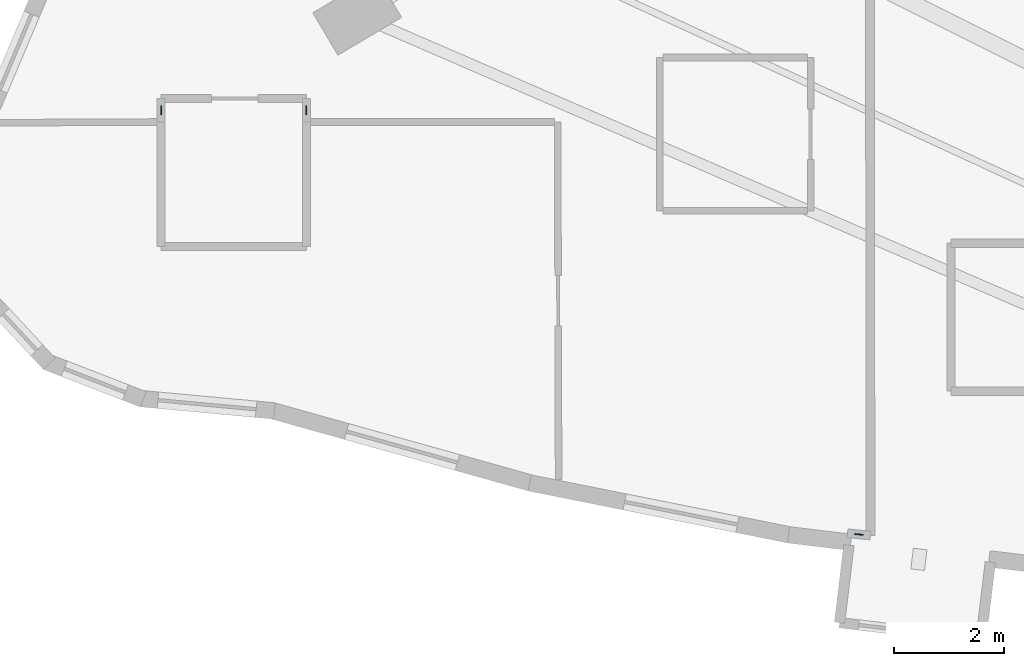
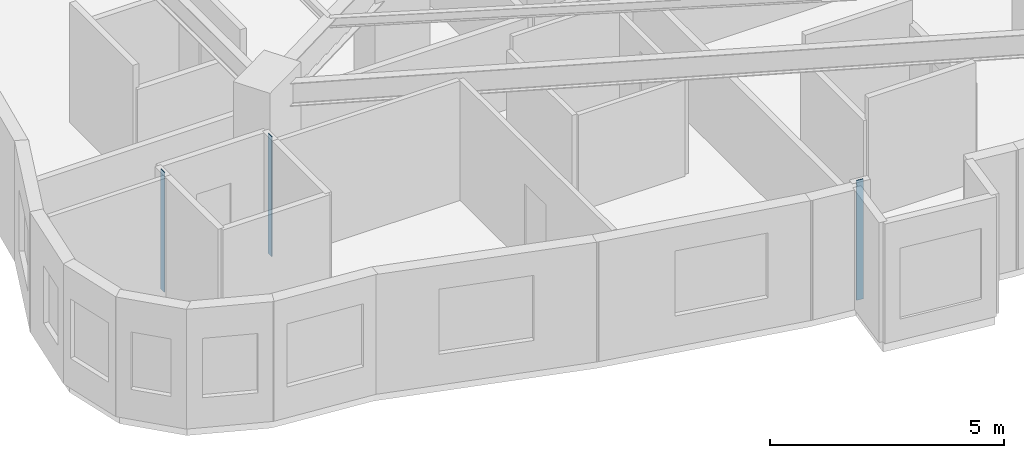
# One storey, part 2 of 11: 3 plates.
"""IFC4 building model written with IfcOpenShell, lengths in metres."""

from ifc_helpers import new_model, si_unit, direction, frame, origin, origin_2d, place, context, subcontext, project, spatial, rectangle, extrude, material, layer, layer_set, type_object, element, save


model = new_model("IFC4")

# Units and contexts
model_context = context("Model", 3, precision=1e-05, world=origin(), true_north=direction((0.0, 1.0)))
body_context = subcontext(model_context, "Body", "Model", "MODEL_VIEW")
ifc_project = project(units=[si_unit("LENGTHUNIT", "METRE"), si_unit("AREAUNIT", "SQUARE_METRE"), si_unit("VOLUMEUNIT", "CUBIC_METRE"), si_unit("PLANEANGLEUNIT", "RADIAN"), si_unit("MASSUNIT", "GRAM", prefix="KILO")], contexts=[model_context])

# Site, building, storey
site_placement = place(None, origin())
site = spatial("IfcSite", under=ifc_project, at=site_placement, CompositionType="ELEMENT")
building_placement = place(site_placement, origin())
building = spatial("IfcBuilding", under=site, at=building_placement, Name="Miruveldt Soraemaru", CompositionType="ELEMENT")
storey_placement = place(building_placement, frame((0.0, 0.0, 66.60009765625)))
storey = spatial("IfcBuildingStorey", under=building, at=storey_placement, Name="L18", CompositionType="ELEMENT", Elevation=66.60009765625)

# Plates
ifc_material = material(Name="Anodised aluminium EN AW-6063 T6", Category="aluminium")
ifc_layer = layer(ifc_material, 0.02001953125, Name="Anodised aluminium EN AW-6063 T6", Category="aluminium")
ifc_layer_set = layer_set([ifc_layer], Name="Anodised aluminium EN AW-6063 T6")
plate_type = type_object("IfcPlateType", Name="PLT-PART-TRIM", PredefinedType="SHEET", material=ifc_layer_set)
for number, where, z_axis, x_axis, name in (
    (1, (25.717041015625, 31.16357421875, 0.0), (0.0, 0.0, 1.0), (0.0, 1.0, 0.0), "L18 Partition Step Corner Trim Plate 079"),
    (2, (23.06689453125, 31.16357421875, 0.0), (0.0, 0.0, 1.0), (0.0, -1.0, 0.0), "L18 Partition Step Corner Trim Plate 081"),
    (3, (35.80029296875, 23.4248046875, 0.0), (0.0, 0.0, 1.0), (-0.994612734963, 0.103660539498, 0.0), "L18 Partition Step Corner Trim Plate 001"),
):
    element("IfcPlate", number, at=place(storey_placement, frame(where, z_axis=z_axis, x_axis=x_axis)), inside=storey, type_object=plate_type, Name=name, PredefinedType="SHEET", context=body_context, shape_type="SweptSolid", body=[
        extrude(rectangle(XDim=0.159912109375, YDim=0.02001953125, at=origin_2d()), origin(), (0.0, 0.0, 1.0), 3.125),
    ])

save(model, "model.ifc")
